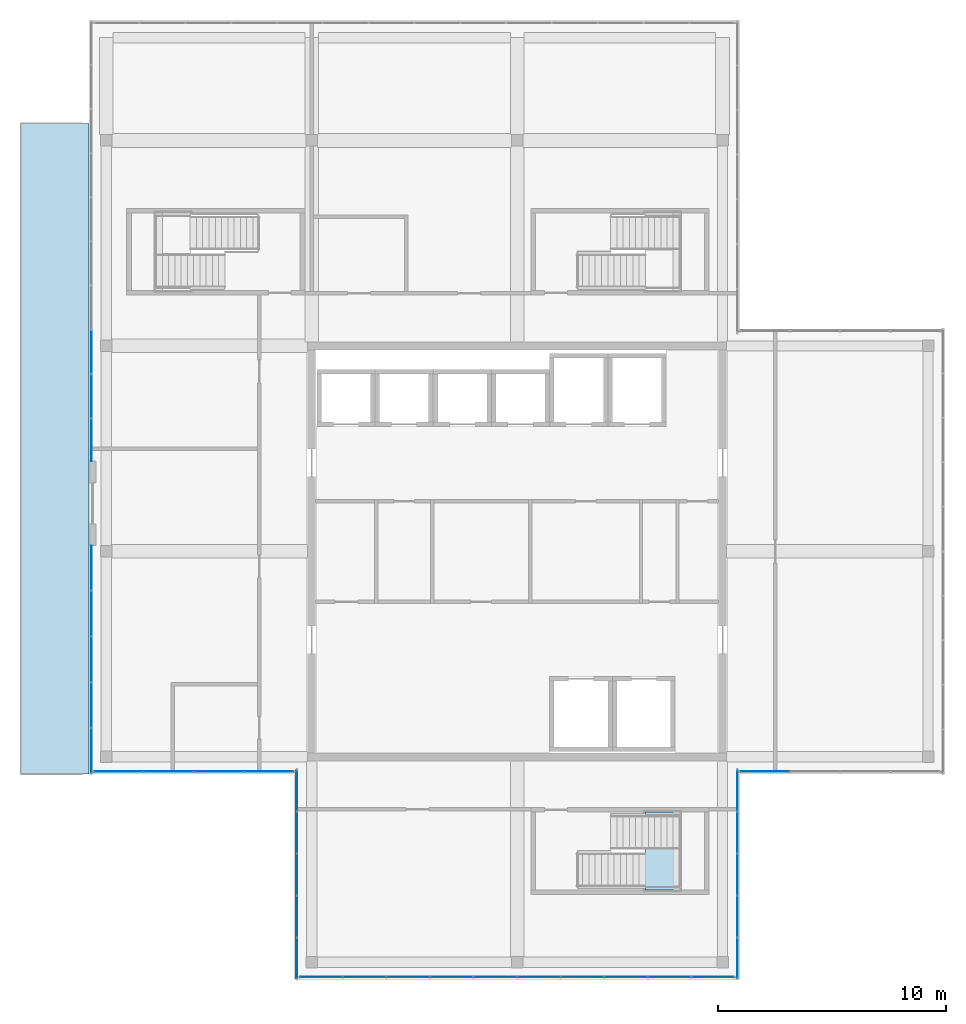
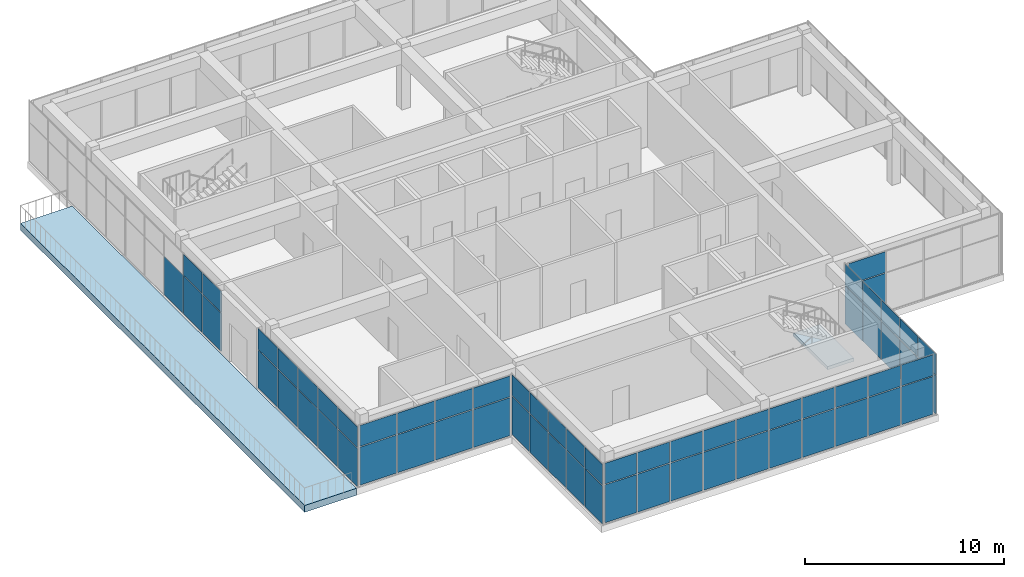
# One storey, part 28 of 34: 65 plates, 2 slabs, 8 elements without a shape of their own.
"""IFC4 building model written with IfcOpenShell, lengths in metres."""

from ifc_helpers import new_model, si_unit, direction, frame, origin, origin_2d, place, context, subcontext, project, spatial, polyline, rectangle, outline, extrude, material, layer, layer_set, type_object, element, aggregate, save


model = new_model("IFC4")

# Units and contexts
model_context = context("Model", 3, precision=1e-05, world=origin(), true_north=direction((0.0, 1.0)))
body_context = subcontext(model_context, "Body", "Model", "MODEL_VIEW")
ifc_project = project(units=[si_unit("LENGTHUNIT", "METRE"), si_unit("AREAUNIT", "SQUARE_METRE"), si_unit("VOLUMEUNIT", "CUBIC_METRE"), si_unit("PLANEANGLEUNIT", "RADIAN"), si_unit("MASSUNIT", "GRAM", prefix="KILO")], contexts=[model_context])

# Site, building, storey
site_placement = place(None, origin())
site = spatial("IfcSite", under=ifc_project, at=site_placement, CompositionType="ELEMENT")
building_placement = place(site_placement, origin())
building = spatial("IfcBuilding", under=site, at=building_placement, Name="Tuart Plaza Theatre", CompositionType="ELEMENT")
storey_placement = place(building_placement, frame((0.0, 0.0, 53.5)))
storey = spatial("IfcBuildingStorey", under=building, at=storey_placement, Name="L13", CompositionType="ELEMENT", Elevation=53.5)

# Curtain wall, plates
ifc_material_1 = material(Name="Aluminium and glass", Category="aluminium")
ifc_layer_1 = layer(ifc_material_1, 0.10009765625)
ifc_layer_set_1 = layer_set([ifc_layer_1], Name="CURTAIN WALL 2000 module")
curtain_wall_type = type_object("IfcCurtainWallType", Name="CURTAIN WALL 2000 module", PredefinedType="NOTDEFINED", material=ifc_layer_set_1)
curtain_wall_1_placement = place(storey_placement, origin())
curtain_wall_1 = element("IfcCurtainWall", 1, at=curtain_wall_1_placement, inside=storey, type_object=curtain_wall_type, Name="CW112", PredefinedType="NOTDEFINED")
ifc_material_2 = material(Name="Glass", Category="glass")
ifc_layer_2 = layer(ifc_material_2, 0.028076171875)
ifc_layer_set_2 = layer_set([ifc_layer_2], Name="CURTAIN PANEL double glazed 28")
plate_type_1 = type_object("IfcPlateType", Name="CURTAIN PANEL double glazed 28", PredefinedType="CURTAIN_PANEL", material=ifc_layer_set_2)
plate_1_placement = place(storey_placement, frame((141.64990234375, 58.010009765625, 0.0498046875), z_axis=(0.0, 0.0, 1.0), x_axis=(0.0, 1.0, 0.0)))
plate_1 = element("IfcPlate", 2, at=plate_1_placement, type_object=plate_type_1, Name="CW112 panel 2.1", PredefinedType="CURTAIN_PANEL", context=body_context, shape_type="SweptSolid", body=[
    extrude(rectangle(XDim=1.7900390625, YDim=0.028076171875, at=origin_2d()), origin(), (0.0, 0.0, 1.0), 2.324951171875),
])
plate_2_placement = place(storey_placement, frame((141.64990234375, 58.010009765625, 2.425048828125), z_axis=(0.0, 0.0, 1.0), x_axis=(0.0, 1.0, 0.0)))
plate_2 = element("IfcPlate", 3, at=plate_2_placement, type_object=plate_type_1, Name="CW112 panel 2.2", PredefinedType="CURTAIN_PANEL", context=body_context, shape_type="SweptSolid", body=[
    extrude(rectangle(XDim=1.7900390625, YDim=0.028076171875, at=origin_2d()), origin(), (0.0, 0.0, 1.0), 1.27490234375),
])
plate_3_placement = place(storey_placement, frame((141.64990234375, 59.85009765625, 0.0498046875), z_axis=(0.0, 0.0, 1.0), x_axis=(0.0, 1.0, 0.0)))
plate_3 = element("IfcPlate", 4, at=plate_3_placement, type_object=plate_type_1, Name="CW112 panel 3.1", PredefinedType="CURTAIN_PANEL", context=body_context, shape_type="SweptSolid", body=[
    extrude(rectangle(XDim=1.7900390625, YDim=0.028076171875, at=origin_2d()), origin(), (0.0, 0.0, 1.0), 2.324951171875),
])
plate_4_placement = place(storey_placement, frame((141.64990234375, 59.85009765625, 2.425048828125), z_axis=(0.0, 0.0, 1.0), x_axis=(0.0, 1.0, 0.0)))
plate_4 = element("IfcPlate", 5, at=plate_4_placement, type_object=plate_type_1, Name="CW112 panel 3.2", PredefinedType="CURTAIN_PANEL", context=body_context, shape_type="SweptSolid", body=[
    extrude(rectangle(XDim=1.7900390625, YDim=0.028076171875, at=origin_2d()), origin(), (0.0, 0.0, 1.0), 1.27490234375),
])
plate_5_placement = place(storey_placement, frame((141.64990234375, 61.68994140625, 0.0498046875), z_axis=(0.0, 0.0, 1.0), x_axis=(0.0, 1.0, 0.0)))
plate_5 = element("IfcPlate", 6, at=plate_5_placement, type_object=plate_type_1, Name="CW112 panel 4.1", PredefinedType="CURTAIN_PANEL", context=body_context, shape_type="SweptSolid", body=[
    extrude(rectangle(XDim=1.7900390625, YDim=0.028076171875, at=origin_2d()), origin(), (0.0, 0.0, 1.0), 2.324951171875),
])
plate_6_placement = place(storey_placement, frame((141.64990234375, 61.68994140625, 2.425048828125), z_axis=(0.0, 0.0, 1.0), x_axis=(0.0, 1.0, 0.0)))
plate_6 = element("IfcPlate", 7, at=plate_6_placement, type_object=plate_type_1, Name="CW112 panel 4.2", PredefinedType="CURTAIN_PANEL", context=body_context, shape_type="SweptSolid", body=[
    extrude(rectangle(XDim=1.7900390625, YDim=0.028076171875, at=origin_2d()), origin(), (0.0, 0.0, 1.0), 1.27490234375),
])
plate_7_placement = place(storey_placement, frame((141.64990234375, 63.517578125, 0.0498046875), z_axis=(0.0, 0.0, 1.0), x_axis=(0.0, 1.0, 0.0)))
plate_7 = element("IfcPlate", 8, at=plate_7_placement, type_object=plate_type_1, Name="CW112 panel 5.1", PredefinedType="CURTAIN_PANEL", context=body_context, shape_type="SweptSolid", body=[
    extrude(rectangle(XDim=1.764892578125, YDim=0.028076171875, at=origin_2d()), origin(), (0.0, 0.0, 1.0), 2.324951171875),
])
plate_8_placement = place(storey_placement, frame((141.64990234375, 63.517578125, 2.425048828125), z_axis=(0.0, 0.0, 1.0), x_axis=(0.0, 1.0, 0.0)))
plate_8 = element("IfcPlate", 9, at=plate_8_placement, type_object=plate_type_1, Name="CW112 panel 5.2", PredefinedType="CURTAIN_PANEL", context=body_context, shape_type="SweptSolid", body=[
    extrude(rectangle(XDim=1.764892578125, YDim=0.028076171875, at=origin_2d()), origin(), (0.0, 0.0, 1.0), 1.27490234375),
])

curtain_wall_2_placement = place(storey_placement, origin())
curtain_wall_2 = element("IfcCurtainWall", 10, at=curtain_wall_2_placement, inside=storey, type_object=curtain_wall_type, Name="CW113", PredefinedType="NOTDEFINED")
plate_9_placement = place(storey_placement, frame((142.862548828125, 64.35009765625, 0.0498046875), z_axis=(0.0, 0.0, 1.0), x_axis=(1.0, 0.0, 0.0)))
plate_9 = element("IfcPlate", 11, at=plate_9_placement, type_object=plate_type_1, Name="CW113 panel 1.1", PredefinedType="CURTAIN_PANEL", context=body_context, shape_type="SweptSolid", body=[
    extrude(rectangle(XDim=2.125, YDim=0.028076171875, at=origin_2d()), origin(), (0.0, 0.0, 1.0), 2.324951171875),
])
plate_10_placement = place(storey_placement, frame((142.862548828125, 64.35009765625, 2.425048828125), z_axis=(0.0, 0.0, 1.0), x_axis=(1.0, 0.0, 0.0)))
plate_10 = element("IfcPlate", 12, at=plate_10_placement, type_object=plate_type_1, Name="CW113 panel 1.2", PredefinedType="CURTAIN_PANEL", context=body_context, shape_type="SweptSolid", body=[
    extrude(rectangle(XDim=2.125, YDim=0.028076171875, at=origin_2d()), origin(), (0.0, 0.0, 1.0), 1.27490234375),
])
aggregate(curtain_wall_2, [plate_9, plate_10])

curtain_wall_3_placement = place(storey_placement, origin())
curtain_wall_3 = element("IfcCurtainWall", 13, at=curtain_wall_3_placement, inside=storey, type_object=curtain_wall_type, Name="CW118", PredefinedType="NOTDEFINED")
plate_11_placement = place(storey_placement, frame((113.35009765625, 82.737548828125, 0.0498046875), z_axis=(0.0, 0.0, 1.0), x_axis=(0.0, -1.0, 0.0)))
plate_11 = element("IfcPlate", 14, at=plate_11_placement, type_object=plate_type_1, Name="CW118 panel 8.1", PredefinedType="CURTAIN_PANEL", context=body_context, shape_type="SweptSolid", body=[
    extrude(rectangle(XDim=1.885009765625, YDim=0.028076171875, at=origin_2d()), origin(), (0.0, 0.0, 1.0), 2.324951171875),
])
plate_12_placement = place(storey_placement, frame((113.35009765625, 80.802490234375, 0.0498046875), z_axis=(0.0, 0.0, 1.0), x_axis=(0.0, -1.0, 0.0)))
plate_12 = element("IfcPlate", 15, at=plate_12_placement, type_object=plate_type_1, Name="CW118 panel 9.1", PredefinedType="CURTAIN_PANEL", context=body_context, shape_type="SweptSolid", body=[
    extrude(rectangle(XDim=1.885009765625, YDim=0.028076171875, at=origin_2d()), origin(), (0.0, 0.0, 1.0), 2.324951171875),
])
plate_13_placement = place(storey_placement, frame((113.35009765625, 80.802490234375, 2.425048828125), z_axis=(0.0, 0.0, 1.0), x_axis=(0.0, -1.0, 0.0)))
plate_13 = element("IfcPlate", 16, at=plate_13_placement, type_object=plate_type_1, Name="CW118 panel 9.2", PredefinedType="CURTAIN_PANEL", context=body_context, shape_type="SweptSolid", body=[
    extrude(rectangle(XDim=1.885009765625, YDim=0.028076171875, at=origin_2d()), origin(), (0.0, 0.0, 1.0), 1.27490234375),
])
plate_14_placement = place(storey_placement, frame((113.35009765625, 78.8798828125, 0.0498046875), z_axis=(0.0, 0.0, 1.0), x_axis=(0.0, -1.0, 0.0)))
plate_14 = element("IfcPlate", 17, at=plate_14_placement, type_object=plate_type_1, Name="CW118 panel 10.1", PredefinedType="CURTAIN_PANEL", context=body_context, shape_type="SweptSolid", body=[
    extrude(rectangle(XDim=1.860107421875, YDim=0.028076171875, at=origin_2d()), origin(), (0.0, 0.0, 1.0), 2.324951171875),
])
plate_15_placement = place(storey_placement, frame((113.35009765625, 78.8798828125, 2.425048828125), z_axis=(0.0, 0.0, 1.0), x_axis=(0.0, -1.0, 0.0)))
plate_15 = element("IfcPlate", 18, at=plate_15_placement, type_object=plate_type_1, Name="CW118 panel 10.2", PredefinedType="CURTAIN_PANEL", context=body_context, shape_type="SweptSolid", body=[
    extrude(rectangle(XDim=1.860107421875, YDim=0.028076171875, at=origin_2d()), origin(), (0.0, 0.0, 1.0), 1.27490234375),
])
aggregate(curtain_wall_3, [plate_11, plate_12, plate_13, plate_14, plate_15])

curtain_wall_4_placement = place(storey_placement, origin())
curtain_wall_4 = element("IfcCurtainWall", 19, at=curtain_wall_4_placement, inside=storey, type_object=curtain_wall_type, Name="CW119", PredefinedType="NOTDEFINED")
plate_16_placement = place(storey_placement, frame((113.35009765625, 73.282470703125, 0.0498046875), z_axis=(0.0, 0.0, 1.0), x_axis=(0.0, -1.0, 0.0)))
plate_16 = element("IfcPlate", 20, at=plate_16_placement, type_object=plate_type_1, Name="CW119 panel 1.1", PredefinedType="CURTAIN_PANEL", context=body_context, shape_type="SweptSolid", body=[
    extrude(rectangle(XDim=1.93505859375, YDim=0.028076171875, at=origin_2d()), origin(), (0.0, 0.0, 1.0), 2.324951171875),
])
plate_17_placement = place(storey_placement, frame((113.35009765625, 73.282470703125, 2.425048828125), z_axis=(0.0, 0.0, 1.0), x_axis=(0.0, -1.0, 0.0)))
plate_17 = element("IfcPlate", 21, at=plate_17_placement, type_object=plate_type_1, Name="CW119 panel 1.2", PredefinedType="CURTAIN_PANEL", context=body_context, shape_type="SweptSolid", body=[
    extrude(rectangle(XDim=1.93505859375, YDim=0.028076171875, at=origin_2d()), origin(), (0.0, 0.0, 1.0), 1.27490234375),
])
plate_18_placement = place(storey_placement, frame((113.35009765625, 71.284912109375, 0.0498046875), z_axis=(0.0, 0.0, 1.0), x_axis=(0.0, -1.0, 0.0)))
plate_18 = element("IfcPlate", 22, at=plate_18_placement, type_object=plate_type_1, Name="CW119 panel 2.1", PredefinedType="CURTAIN_PANEL", context=body_context, shape_type="SweptSolid", body=[
    extrude(rectangle(XDim=1.9599609375, YDim=0.028076171875, at=origin_2d()), origin(), (0.0, 0.0, 1.0), 2.324951171875),
])
plate_19_placement = place(storey_placement, frame((113.35009765625, 71.284912109375, 2.425048828125), z_axis=(0.0, 0.0, 1.0), x_axis=(0.0, -1.0, 0.0)))
plate_19 = element("IfcPlate", 23, at=plate_19_placement, type_object=plate_type_1, Name="CW119 panel 2.2", PredefinedType="CURTAIN_PANEL", context=body_context, shape_type="SweptSolid", body=[
    extrude(rectangle(XDim=1.9599609375, YDim=0.028076171875, at=origin_2d()), origin(), (0.0, 0.0, 1.0), 1.27490234375),
])
plate_20_placement = place(storey_placement, frame((113.35009765625, 69.27490234375, 0.0498046875), z_axis=(0.0, 0.0, 1.0), x_axis=(0.0, -1.0, 0.0)))
plate_20 = element("IfcPlate", 24, at=plate_20_placement, type_object=plate_type_1, Name="CW119 panel 3.1", PredefinedType="CURTAIN_PANEL", context=body_context, shape_type="SweptSolid", body=[
    extrude(rectangle(XDim=1.9599609375, YDim=0.028076171875, at=origin_2d()), origin(), (0.0, 0.0, 1.0), 2.324951171875),
])
plate_21_placement = place(storey_placement, frame((113.35009765625, 69.27490234375, 2.425048828125), z_axis=(0.0, 0.0, 1.0), x_axis=(0.0, -1.0, 0.0)))
plate_21 = element("IfcPlate", 25, at=plate_21_placement, type_object=plate_type_1, Name="CW119 panel 3.2", PredefinedType="CURTAIN_PANEL", context=body_context, shape_type="SweptSolid", body=[
    extrude(rectangle(XDim=1.9599609375, YDim=0.028076171875, at=origin_2d()), origin(), (0.0, 0.0, 1.0), 1.27490234375),
])
plate_22_placement = place(storey_placement, frame((113.35009765625, 67.264892578125, 0.0498046875), z_axis=(0.0, 0.0, 1.0), x_axis=(0.0, -1.0, 0.0)))
plate_22 = element("IfcPlate", 26, at=plate_22_placement, type_object=plate_type_1, Name="CW119 panel 4.1", PredefinedType="CURTAIN_PANEL", context=body_context, shape_type="SweptSolid", body=[
    extrude(rectangle(XDim=1.9599609375, YDim=0.028076171875, at=origin_2d()), origin(), (0.0, 0.0, 1.0), 2.324951171875),
])
plate_23_placement = place(storey_placement, frame((113.35009765625, 67.264892578125, 2.425048828125), z_axis=(0.0, 0.0, 1.0), x_axis=(0.0, -1.0, 0.0)))
plate_23 = element("IfcPlate", 27, at=plate_23_placement, type_object=plate_type_1, Name="CW119 panel 4.2", PredefinedType="CURTAIN_PANEL", context=body_context, shape_type="SweptSolid", body=[
    extrude(rectangle(XDim=1.9599609375, YDim=0.028076171875, at=origin_2d()), origin(), (0.0, 0.0, 1.0), 1.27490234375),
])
plate_24_placement = place(storey_placement, frame((113.35009765625, 65.267578125, 0.0498046875), z_axis=(0.0, 0.0, 1.0), x_axis=(0.0, -1.0, 0.0)))
plate_24 = element("IfcPlate", 28, at=plate_24_placement, type_object=plate_type_1, Name="CW119 panel 5.1", PredefinedType="CURTAIN_PANEL", context=body_context, shape_type="SweptSolid", body=[
    extrude(rectangle(XDim=1.93505859375, YDim=0.028076171875, at=origin_2d()), origin(), (0.0, 0.0, 1.0), 2.324951171875),
])
plate_25_placement = place(storey_placement, frame((113.35009765625, 65.267578125, 2.425048828125), z_axis=(0.0, 0.0, 1.0), x_axis=(0.0, -1.0, 0.0)))
plate_25 = element("IfcPlate", 29, at=plate_25_placement, type_object=plate_type_1, Name="CW119 panel 5.2", PredefinedType="CURTAIN_PANEL", context=body_context, shape_type="SweptSolid", body=[
    extrude(rectangle(XDim=1.93505859375, YDim=0.028076171875, at=origin_2d()), origin(), (0.0, 0.0, 1.0), 1.27490234375),
])
aggregate(curtain_wall_4, [plate_16, plate_17, plate_18, plate_19, plate_20, plate_21, plate_22, plate_23, plate_24, plate_25])

curtain_wall_5_placement = place(storey_placement, origin())
curtain_wall_5 = element("IfcCurtainWall", 30, at=curtain_wall_5_placement, inside=storey, type_object=curtain_wall_type, Name="CW120", PredefinedType="NOTDEFINED")
plate_26_placement = place(storey_placement, frame((114.5625, 64.35009765625, 0.0498046875), z_axis=(0.0, 0.0, 1.0), x_axis=(1.0, 0.0, 0.0)))
plate_26 = element("IfcPlate", 31, at=plate_26_placement, type_object=plate_type_1, Name="CW120 panel 1.1", PredefinedType="CURTAIN_PANEL", context=body_context, shape_type="SweptSolid", body=[
    extrude(rectangle(XDim=2.125, YDim=0.028076171875, at=origin_2d()), origin(), (0.0, 0.0, 1.0), 2.324951171875),
])
plate_27_placement = place(storey_placement, frame((114.5625, 64.35009765625, 2.425048828125), z_axis=(0.0, 0.0, 1.0), x_axis=(1.0, 0.0, 0.0)))
plate_27 = element("IfcPlate", 32, at=plate_27_placement, type_object=plate_type_1, Name="CW120 panel 1.2", PredefinedType="CURTAIN_PANEL", context=body_context, shape_type="SweptSolid", body=[
    extrude(rectangle(XDim=2.125, YDim=0.028076171875, at=origin_2d()), origin(), (0.0, 0.0, 1.0), 1.27490234375),
])
plate_28_placement = place(storey_placement, frame((116.75, 64.35009765625, 0.0498046875), z_axis=(0.0, 0.0, 1.0), x_axis=(1.0, 0.0, 0.0)))
plate_28 = element("IfcPlate", 33, at=plate_28_placement, type_object=plate_type_1, Name="CW120 panel 2.1", PredefinedType="CURTAIN_PANEL", context=body_context, shape_type="SweptSolid", body=[
    extrude(rectangle(XDim=2.14990234375, YDim=0.028076171875, at=origin_2d()), origin(), (0.0, 0.0, 1.0), 2.324951171875),
])
plate_29_placement = place(storey_placement, frame((116.75, 64.35009765625, 2.425048828125), z_axis=(0.0, 0.0, 1.0), x_axis=(1.0, 0.0, 0.0)))
plate_29 = element("IfcPlate", 34, at=plate_29_placement, type_object=plate_type_1, Name="CW120 panel 2.2", PredefinedType="CURTAIN_PANEL", context=body_context, shape_type="SweptSolid", body=[
    extrude(rectangle(XDim=2.14990234375, YDim=0.028076171875, at=origin_2d()), origin(), (0.0, 0.0, 1.0), 1.27490234375),
])
plate_30_placement = place(storey_placement, frame((118.949951171875, 64.35009765625, 0.0498046875), z_axis=(0.0, 0.0, 1.0), x_axis=(1.0, 0.0, 0.0)))
plate_30 = element("IfcPlate", 35, at=plate_30_placement, type_object=plate_type_1, Name="CW120 panel 3.1", PredefinedType="CURTAIN_PANEL", context=body_context, shape_type="SweptSolid", body=[
    extrude(rectangle(XDim=2.14990234375, YDim=0.028076171875, at=origin_2d()), origin(), (0.0, 0.0, 1.0), 2.324951171875),
])
plate_31_placement = place(storey_placement, frame((118.949951171875, 64.35009765625, 2.425048828125), z_axis=(0.0, 0.0, 1.0), x_axis=(1.0, 0.0, 0.0)))
plate_31 = element("IfcPlate", 36, at=plate_31_placement, type_object=plate_type_1, Name="CW120 panel 3.2", PredefinedType="CURTAIN_PANEL", context=body_context, shape_type="SweptSolid", body=[
    extrude(rectangle(XDim=2.14990234375, YDim=0.028076171875, at=origin_2d()), origin(), (0.0, 0.0, 1.0), 1.27490234375),
])
plate_32_placement = place(storey_placement, frame((121.137451171875, 64.35009765625, 0.0498046875), z_axis=(0.0, 0.0, 1.0), x_axis=(1.0, 0.0, 0.0)))
plate_32 = element("IfcPlate", 37, at=plate_32_placement, type_object=plate_type_1, Name="CW120 panel 4.1", PredefinedType="CURTAIN_PANEL", context=body_context, shape_type="SweptSolid", body=[
    extrude(rectangle(XDim=2.125, YDim=0.028076171875, at=origin_2d()), origin(), (0.0, 0.0, 1.0), 2.324951171875),
])
plate_33_placement = place(storey_placement, frame((121.137451171875, 64.35009765625, 2.425048828125), z_axis=(0.0, 0.0, 1.0), x_axis=(1.0, 0.0, 0.0)))
plate_33 = element("IfcPlate", 38, at=plate_33_placement, type_object=plate_type_1, Name="CW120 panel 4.2", PredefinedType="CURTAIN_PANEL", context=body_context, shape_type="SweptSolid", body=[
    extrude(rectangle(XDim=2.125, YDim=0.028076171875, at=origin_2d()), origin(), (0.0, 0.0, 1.0), 1.27490234375),
])
aggregate(curtain_wall_5, [plate_26, plate_27, plate_28, plate_29, plate_30, plate_31, plate_32, plate_33])

curtain_wall_6_placement = place(storey_placement, origin())
curtain_wall_6 = element("IfcCurtainWall", 39, at=curtain_wall_6_placement, inside=storey, type_object=curtain_wall_type, Name="CW121", PredefinedType="NOTDEFINED")
plate_34_placement = place(storey_placement, frame((122.35009765625, 63.517578125, 0.0498046875), z_axis=(0.0, 0.0, 1.0), x_axis=(0.0, -1.0, 0.0)))
plate_34 = element("IfcPlate", 40, at=plate_34_placement, type_object=plate_type_1, Name="CW121 panel 1.1", PredefinedType="CURTAIN_PANEL", context=body_context, shape_type="SweptSolid", body=[
    extrude(rectangle(XDim=1.764892578125, YDim=0.028076171875, at=origin_2d()), origin(), (0.0, 0.0, 1.0), 2.324951171875),
])
plate_35_placement = place(storey_placement, frame((122.35009765625, 63.517578125, 2.425048828125), z_axis=(0.0, 0.0, 1.0), x_axis=(0.0, -1.0, 0.0)))
plate_35 = element("IfcPlate", 41, at=plate_35_placement, type_object=plate_type_1, Name="CW121 panel 1.2", PredefinedType="CURTAIN_PANEL", context=body_context, shape_type="SweptSolid", body=[
    extrude(rectangle(XDim=1.764892578125, YDim=0.028076171875, at=origin_2d()), origin(), (0.0, 0.0, 1.0), 1.27490234375),
])
plate_36_placement = place(storey_placement, frame((122.35009765625, 61.68994140625, 0.0498046875), z_axis=(0.0, 0.0, 1.0), x_axis=(0.0, -1.0, 0.0)))
plate_36 = element("IfcPlate", 42, at=plate_36_placement, type_object=plate_type_1, Name="CW121 panel 2.1", PredefinedType="CURTAIN_PANEL", context=body_context, shape_type="SweptSolid", body=[
    extrude(rectangle(XDim=1.7900390625, YDim=0.028076171875, at=origin_2d()), origin(), (0.0, 0.0, 1.0), 2.324951171875),
])
plate_37_placement = place(storey_placement, frame((122.35009765625, 61.68994140625, 2.425048828125), z_axis=(0.0, 0.0, 1.0), x_axis=(0.0, -1.0, 0.0)))
plate_37 = element("IfcPlate", 43, at=plate_37_placement, type_object=plate_type_1, Name="CW121 panel 2.2", PredefinedType="CURTAIN_PANEL", context=body_context, shape_type="SweptSolid", body=[
    extrude(rectangle(XDim=1.7900390625, YDim=0.028076171875, at=origin_2d()), origin(), (0.0, 0.0, 1.0), 1.27490234375),
])
plate_38_placement = place(storey_placement, frame((122.35009765625, 59.85009765625, 0.0498046875), z_axis=(0.0, 0.0, 1.0), x_axis=(0.0, -1.0, 0.0)))
plate_38 = element("IfcPlate", 44, at=plate_38_placement, type_object=plate_type_1, Name="CW121 panel 3.1", PredefinedType="CURTAIN_PANEL", context=body_context, shape_type="SweptSolid", body=[
    extrude(rectangle(XDim=1.7900390625, YDim=0.028076171875, at=origin_2d()), origin(), (0.0, 0.0, 1.0), 2.324951171875),
])
plate_39_placement = place(storey_placement, frame((122.35009765625, 59.85009765625, 2.425048828125), z_axis=(0.0, 0.0, 1.0), x_axis=(0.0, -1.0, 0.0)))
plate_39 = element("IfcPlate", 45, at=plate_39_placement, type_object=plate_type_1, Name="CW121 panel 3.2", PredefinedType="CURTAIN_PANEL", context=body_context, shape_type="SweptSolid", body=[
    extrude(rectangle(XDim=1.7900390625, YDim=0.028076171875, at=origin_2d()), origin(), (0.0, 0.0, 1.0), 1.27490234375),
])
plate_40_placement = place(storey_placement, frame((122.35009765625, 58.010009765625, 0.0498046875), z_axis=(0.0, 0.0, 1.0), x_axis=(0.0, -1.0, 0.0)))
plate_40 = element("IfcPlate", 46, at=plate_40_placement, type_object=plate_type_1, Name="CW121 panel 4.1", PredefinedType="CURTAIN_PANEL", context=body_context, shape_type="SweptSolid", body=[
    extrude(rectangle(XDim=1.7900390625, YDim=0.028076171875, at=origin_2d()), origin(), (0.0, 0.0, 1.0), 2.324951171875),
])
plate_41_placement = place(storey_placement, frame((122.35009765625, 58.010009765625, 2.425048828125), z_axis=(0.0, 0.0, 1.0), x_axis=(0.0, -1.0, 0.0)))
plate_41 = element("IfcPlate", 47, at=plate_41_placement, type_object=plate_type_1, Name="CW121 panel 4.2", PredefinedType="CURTAIN_PANEL", context=body_context, shape_type="SweptSolid", body=[
    extrude(rectangle(XDim=1.7900390625, YDim=0.028076171875, at=origin_2d()), origin(), (0.0, 0.0, 1.0), 1.27490234375),
])
plate_42_placement = place(storey_placement, frame((122.35009765625, 56.1826171875, 0.0498046875), z_axis=(0.0, 0.0, 1.0), x_axis=(0.0, -1.0, 0.0)))
plate_42 = element("IfcPlate", 48, at=plate_42_placement, type_object=plate_type_1, Name="CW121 panel 5.1", PredefinedType="CURTAIN_PANEL", context=body_context, shape_type="SweptSolid", body=[
    extrude(rectangle(XDim=1.764892578125, YDim=0.028076171875, at=origin_2d()), origin(), (0.0, 0.0, 1.0), 2.324951171875),
])
plate_43_placement = place(storey_placement, frame((122.35009765625, 56.1826171875, 2.425048828125), z_axis=(0.0, 0.0, 1.0), x_axis=(0.0, -1.0, 0.0)))
plate_43 = element("IfcPlate", 49, at=plate_43_placement, type_object=plate_type_1, Name="CW121 panel 5.2", PredefinedType="CURTAIN_PANEL", context=body_context, shape_type="SweptSolid", body=[
    extrude(rectangle(XDim=1.764892578125, YDim=0.028076171875, at=origin_2d()), origin(), (0.0, 0.0, 1.0), 1.27490234375),
])
aggregate(curtain_wall_6, [plate_34, plate_35, plate_36, plate_37, plate_38, plate_39, plate_40, plate_41, plate_42, plate_43])

curtain_wall_7_placement = place(storey_placement, origin())
curtain_wall_7 = element("IfcCurtainWall", 50, at=curtain_wall_7_placement, inside=storey, type_object=curtain_wall_type, Name="CW122", PredefinedType="NOTDEFINED")
plate_44_placement = place(storey_placement, frame((123.41748046875, 55.35009765625, 0.0498046875), z_axis=(0.0, 0.0, 1.0), x_axis=(1.0, 0.0, 0.0)))
plate_44 = element("IfcPlate", 51, at=plate_44_placement, type_object=plate_type_1, Name="CW122 panel 1.1", PredefinedType="CURTAIN_PANEL", context=body_context, shape_type="SweptSolid", body=[
    extrude(rectangle(XDim=1.8349609375, YDim=0.028076171875, at=origin_2d()), origin(), (0.0, 0.0, 1.0), 2.324951171875),
])
plate_45_placement = place(storey_placement, frame((123.41748046875, 55.35009765625, 2.425048828125), z_axis=(0.0, 0.0, 1.0), x_axis=(1.0, 0.0, 0.0)))
plate_45 = element("IfcPlate", 52, at=plate_45_placement, type_object=plate_type_1, Name="CW122 panel 1.2", PredefinedType="CURTAIN_PANEL", context=body_context, shape_type="SweptSolid", body=[
    extrude(rectangle(XDim=1.8349609375, YDim=0.028076171875, at=origin_2d()), origin(), (0.0, 0.0, 1.0), 1.27490234375),
])
plate_46_placement = place(storey_placement, frame((125.31494140625, 55.35009765625, 0.0498046875), z_axis=(0.0, 0.0, 1.0), x_axis=(1.0, 0.0, 0.0)))
plate_46 = element("IfcPlate", 53, at=plate_46_placement, type_object=plate_type_1, Name="CW122 panel 2.1", PredefinedType="CURTAIN_PANEL", context=body_context, shape_type="SweptSolid", body=[
    extrude(rectangle(XDim=1.860107421875, YDim=0.028076171875, at=origin_2d()), origin(), (0.0, 0.0, 1.0), 2.324951171875),
])
plate_47_placement = place(storey_placement, frame((125.31494140625, 55.35009765625, 2.425048828125), z_axis=(0.0, 0.0, 1.0), x_axis=(1.0, 0.0, 0.0)))
plate_47 = element("IfcPlate", 54, at=plate_47_placement, type_object=plate_type_1, Name="CW122 panel 2.2", PredefinedType="CURTAIN_PANEL", context=body_context, shape_type="SweptSolid", body=[
    extrude(rectangle(XDim=1.860107421875, YDim=0.028076171875, at=origin_2d()), origin(), (0.0, 0.0, 1.0), 1.27490234375),
])
plate_48_placement = place(storey_placement, frame((127.22509765625, 55.35009765625, 0.0498046875), z_axis=(0.0, 0.0, 1.0), x_axis=(1.0, 0.0, 0.0)))
plate_48 = element("IfcPlate", 55, at=plate_48_placement, type_object=plate_type_1, Name="CW122 panel 3.1", PredefinedType="CURTAIN_PANEL", context=body_context, shape_type="SweptSolid", body=[
    extrude(rectangle(XDim=1.860107421875, YDim=0.028076171875, at=origin_2d()), origin(), (0.0, 0.0, 1.0), 2.324951171875),
])
plate_49_placement = place(storey_placement, frame((127.22509765625, 55.35009765625, 2.425048828125), z_axis=(0.0, 0.0, 1.0), x_axis=(1.0, 0.0, 0.0)))
plate_49 = element("IfcPlate", 56, at=plate_49_placement, type_object=plate_type_1, Name="CW122 panel 3.2", PredefinedType="CURTAIN_PANEL", context=body_context, shape_type="SweptSolid", body=[
    extrude(rectangle(XDim=1.860107421875, YDim=0.028076171875, at=origin_2d()), origin(), (0.0, 0.0, 1.0), 1.27490234375),
])
plate_50_placement = place(storey_placement, frame((129.135009765625, 55.35009765625, 0.0498046875), z_axis=(0.0, 0.0, 1.0), x_axis=(1.0, 0.0, 0.0)))
plate_50 = element("IfcPlate", 57, at=plate_50_placement, type_object=plate_type_1, Name="CW122 panel 4.1", PredefinedType="CURTAIN_PANEL", context=body_context, shape_type="SweptSolid", body=[
    extrude(rectangle(XDim=1.860107421875, YDim=0.028076171875, at=origin_2d()), origin(), (0.0, 0.0, 1.0), 2.324951171875),
])
plate_51_placement = place(storey_placement, frame((129.135009765625, 55.35009765625, 2.425048828125), z_axis=(0.0, 0.0, 1.0), x_axis=(1.0, 0.0, 0.0)))
plate_51 = element("IfcPlate", 58, at=plate_51_placement, type_object=plate_type_1, Name="CW122 panel 4.2", PredefinedType="CURTAIN_PANEL", context=body_context, shape_type="SweptSolid", body=[
    extrude(rectangle(XDim=1.860107421875, YDim=0.028076171875, at=origin_2d()), origin(), (0.0, 0.0, 1.0), 1.27490234375),
])
plate_52_placement = place(storey_placement, frame((131.044921875, 55.35009765625, 0.0498046875), z_axis=(0.0, 0.0, 1.0), x_axis=(1.0, 0.0, 0.0)))
plate_52 = element("IfcPlate", 59, at=plate_52_placement, type_object=plate_type_1, Name="CW122 panel 5.1", PredefinedType="CURTAIN_PANEL", context=body_context, shape_type="SweptSolid", body=[
    extrude(rectangle(XDim=1.860107421875, YDim=0.028076171875, at=origin_2d()), origin(), (0.0, 0.0, 1.0), 2.324951171875),
])
plate_53_placement = place(storey_placement, frame((131.044921875, 55.35009765625, 2.425048828125), z_axis=(0.0, 0.0, 1.0), x_axis=(1.0, 0.0, 0.0)))
plate_53 = element("IfcPlate", 60, at=plate_53_placement, type_object=plate_type_1, Name="CW122 panel 5.2", PredefinedType="CURTAIN_PANEL", context=body_context, shape_type="SweptSolid", body=[
    extrude(rectangle(XDim=1.860107421875, YDim=0.028076171875, at=origin_2d()), origin(), (0.0, 0.0, 1.0), 1.27490234375),
])
plate_54_placement = place(storey_placement, frame((132.955078125, 55.35009765625, 0.0498046875), z_axis=(0.0, 0.0, 1.0), x_axis=(1.0, 0.0, 0.0)))
plate_54 = element("IfcPlate", 61, at=plate_54_placement, type_object=plate_type_1, Name="CW122 panel 6.1", PredefinedType="CURTAIN_PANEL", context=body_context, shape_type="SweptSolid", body=[
    extrude(rectangle(XDim=1.860107421875, YDim=0.028076171875, at=origin_2d()), origin(), (0.0, 0.0, 1.0), 2.324951171875),
])
plate_55_placement = place(storey_placement, frame((132.955078125, 55.35009765625, 2.425048828125), z_axis=(0.0, 0.0, 1.0), x_axis=(1.0, 0.0, 0.0)))
plate_55 = element("IfcPlate", 62, at=plate_55_placement, type_object=plate_type_1, Name="CW122 panel 6.2", PredefinedType="CURTAIN_PANEL", context=body_context, shape_type="SweptSolid", body=[
    extrude(rectangle(XDim=1.860107421875, YDim=0.028076171875, at=origin_2d()), origin(), (0.0, 0.0, 1.0), 1.27490234375),
])
plate_56_placement = place(storey_placement, frame((134.864990234375, 55.35009765625, 0.0498046875), z_axis=(0.0, 0.0, 1.0), x_axis=(1.0, 0.0, 0.0)))
plate_56 = element("IfcPlate", 63, at=plate_56_placement, type_object=plate_type_1, Name="CW122 panel 7.1", PredefinedType="CURTAIN_PANEL", context=body_context, shape_type="SweptSolid", body=[
    extrude(rectangle(XDim=1.860107421875, YDim=0.028076171875, at=origin_2d()), origin(), (0.0, 0.0, 1.0), 2.324951171875),
])
plate_57_placement = place(storey_placement, frame((134.864990234375, 55.35009765625, 2.425048828125), z_axis=(0.0, 0.0, 1.0), x_axis=(1.0, 0.0, 0.0)))
plate_57 = element("IfcPlate", 64, at=plate_57_placement, type_object=plate_type_1, Name="CW122 panel 7.2", PredefinedType="CURTAIN_PANEL", context=body_context, shape_type="SweptSolid", body=[
    extrude(rectangle(XDim=1.860107421875, YDim=0.028076171875, at=origin_2d()), origin(), (0.0, 0.0, 1.0), 1.27490234375),
])
plate_58_placement = place(storey_placement, frame((136.77490234375, 55.35009765625, 0.0498046875), z_axis=(0.0, 0.0, 1.0), x_axis=(1.0, 0.0, 0.0)))
plate_58 = element("IfcPlate", 65, at=plate_58_placement, type_object=plate_type_1, Name="CW122 panel 8.1", PredefinedType="CURTAIN_PANEL", context=body_context, shape_type="SweptSolid", body=[
    extrude(rectangle(XDim=1.860107421875, YDim=0.028076171875, at=origin_2d()), origin(), (0.0, 0.0, 1.0), 2.324951171875),
])
plate_59_placement = place(storey_placement, frame((136.77490234375, 55.35009765625, 2.425048828125), z_axis=(0.0, 0.0, 1.0), x_axis=(1.0, 0.0, 0.0)))
plate_59 = element("IfcPlate", 66, at=plate_59_placement, type_object=plate_type_1, Name="CW122 panel 8.2", PredefinedType="CURTAIN_PANEL", context=body_context, shape_type="SweptSolid", body=[
    extrude(rectangle(XDim=1.860107421875, YDim=0.028076171875, at=origin_2d()), origin(), (0.0, 0.0, 1.0), 1.27490234375),
])
plate_60_placement = place(storey_placement, frame((138.68505859375, 55.35009765625, 0.0498046875), z_axis=(0.0, 0.0, 1.0), x_axis=(1.0, 0.0, 0.0)))
plate_60 = element("IfcPlate", 67, at=plate_60_placement, type_object=plate_type_1, Name="CW122 panel 9.1", PredefinedType="CURTAIN_PANEL", context=body_context, shape_type="SweptSolid", body=[
    extrude(rectangle(XDim=1.860107421875, YDim=0.028076171875, at=origin_2d()), origin(), (0.0, 0.0, 1.0), 2.324951171875),
])
plate_61_placement = place(storey_placement, frame((138.68505859375, 55.35009765625, 2.425048828125), z_axis=(0.0, 0.0, 1.0), x_axis=(1.0, 0.0, 0.0)))
plate_61 = element("IfcPlate", 68, at=plate_61_placement, type_object=plate_type_1, Name="CW122 panel 9.2", PredefinedType="CURTAIN_PANEL", context=body_context, shape_type="SweptSolid", body=[
    extrude(rectangle(XDim=1.860107421875, YDim=0.028076171875, at=origin_2d()), origin(), (0.0, 0.0, 1.0), 1.27490234375),
])
plate_62_placement = place(storey_placement, frame((140.58251953125, 55.35009765625, 0.0498046875), z_axis=(0.0, 0.0, 1.0), x_axis=(1.0, 0.0, 0.0)))
plate_62 = element("IfcPlate", 69, at=plate_62_placement, type_object=plate_type_1, Name="CW122 panel 10.1", PredefinedType="CURTAIN_PANEL", context=body_context, shape_type="SweptSolid", body=[
    extrude(rectangle(XDim=1.8349609375, YDim=0.028076171875, at=origin_2d()), origin(), (0.0, 0.0, 1.0), 2.324951171875),
])
plate_63_placement = place(storey_placement, frame((140.58251953125, 55.35009765625, 2.425048828125), z_axis=(0.0, 0.0, 1.0), x_axis=(1.0, 0.0, 0.0)))
plate_63 = element("IfcPlate", 70, at=plate_63_placement, type_object=plate_type_1, Name="CW122 panel 10.2", PredefinedType="CURTAIN_PANEL", context=body_context, shape_type="SweptSolid", body=[
    extrude(rectangle(XDim=1.8349609375, YDim=0.028076171875, at=origin_2d()), origin(), (0.0, 0.0, 1.0), 1.27490234375),
])
aggregate(curtain_wall_7, [plate_44, plate_45, plate_46, plate_47, plate_48, plate_49, plate_50, plate_51, plate_52, plate_53, plate_54, plate_55, plate_56, plate_57, plate_58, plate_59, plate_60, plate_61, plate_62, plate_63])

# Plate
ifc_material_3 = material(Name="Zinc")
ifc_layer_3 = layer(ifc_material_3, 0.028076171875)
ifc_layer_set_3 = layer_set([ifc_layer_3], Name="CURTAIN PANEL zinc 28")
plate_type_2 = type_object("IfcPlateType", Name="CURTAIN PANEL zinc 28", PredefinedType="CURTAIN_PANEL", material=ifc_layer_set_3)
plate_64_placement = place(storey_placement, frame((141.64990234375, 56.1826171875, 0.0498046875), z_axis=(0.0, 0.0, 1.0), x_axis=(0.0, 1.0, 0.0)))
plate_64 = element("IfcPlate", 71, at=plate_64_placement, type_object=plate_type_2, Name="CW112 zinc panel 1.1", PredefinedType="CURTAIN_PANEL", context=body_context, shape_type="SweptSolid", body=[
    extrude(rectangle(XDim=1.764892578125, YDim=0.028076171875, at=origin_2d()), origin(), (0.0, 0.0, 1.0), 2.324951171875),
])

plate_65_placement = place(storey_placement, frame((141.64990234375, 56.1826171875, 2.425048828125), z_axis=(0.0, 0.0, 1.0), x_axis=(0.0, 1.0, 0.0)))
plate_65 = element("IfcPlate", 72, at=plate_65_placement, type_object=plate_type_2, Name="CW112 zinc panel 1.2", PredefinedType="CURTAIN_PANEL", context=body_context, shape_type="SweptSolid", body=[
    extrude(rectangle(XDim=1.764892578125, YDim=0.028076171875, at=origin_2d()), origin(), (0.0, 0.0, 1.0), 1.27490234375),
])

aggregate(curtain_wall_1, [plate_64, plate_65, plate_1, plate_2, plate_3, plate_4, plate_5, plate_6, plate_7, plate_8])

# Slab
ifc_material_4 = material(Name="Concrete N40 (40 MPa)", Category="concrete")
ifc_layer_4 = layer(ifc_material_4, 0.419921875)
ifc_layer_set_4 = layer_set([ifc_layer_4], Name="SLAB Floor 420 Concrete N40 (40 MPa)")
slab_type_1 = type_object("IfcSlabType", Name="SLAB Floor 420 Concrete N40 (40 MPa)", PredefinedType="FLOOR", material=ifc_layer_set_4)
slab_1_placement = place(storey_placement, frame((0.0, 0.0, -0.419921875)))
element("IfcSlab", 73, at=slab_1_placement, inside=storey, type_object=slab_type_1, Name="S102", PredefinedType="FLOOR", context=body_context, shape_type="SweptSolid", body=[
    extrude(outline(polyline([(113.25, 64.25), (113.25, 92.75), (110.25, 92.75), (110.25, 64.25), (113.25, 64.25)])), origin(), (0.0, 0.0, 1.0), 0.419921875),
])

# Stair, slab
ifc_material_5 = material(Name="Concrete N40 (40 MPa)", Category="concrete")
stair_type = type_object("IfcStairType", Name="STAIR half turn 1500", PredefinedType="HALF_TURN_STAIR", material=ifc_material_5)
stair_placement = place(storey_placement, origin())
stair = element("IfcStair", 74, at=stair_placement, inside=storey, type_object=stair_type, Name="SC-6", PredefinedType="HALF_TURN_STAIR")
ifc_material_6 = material(Name="Concrete N40 (40 MPa)", Category="concrete")
ifc_layer_5 = layer(ifc_material_6, 0.199951171875)
ifc_layer_set_5 = layer_set([ifc_layer_5], Name="STAIR LANDING 200")
slab_type_2 = type_object("IfcSlabType", Name="STAIR LANDING 200", PredefinedType="LANDING", material=ifc_layer_set_5)
slab_2_placement = place(storey_placement, frame((0.0, 0.0, 1.800048828125)))
slab_2 = element("IfcSlab", 75, at=slab_2_placement, type_object=slab_type_2, Name="SC-6 landing 1", PredefinedType="LANDING", context=body_context, shape_type="SweptSolid", body=[
    extrude(outline(polyline([(137.60009765625, 59.177001953125), (139.1298828125, 59.177001953125), (139.1298828125, 62.572998046875), (137.60009765625, 62.572998046875), (137.60009765625, 59.177001953125)])), origin(), (0.0, 0.0, 1.0), 0.199951171875),
])
aggregate(stair, [slab_2])

save(model, "model.ifc")
